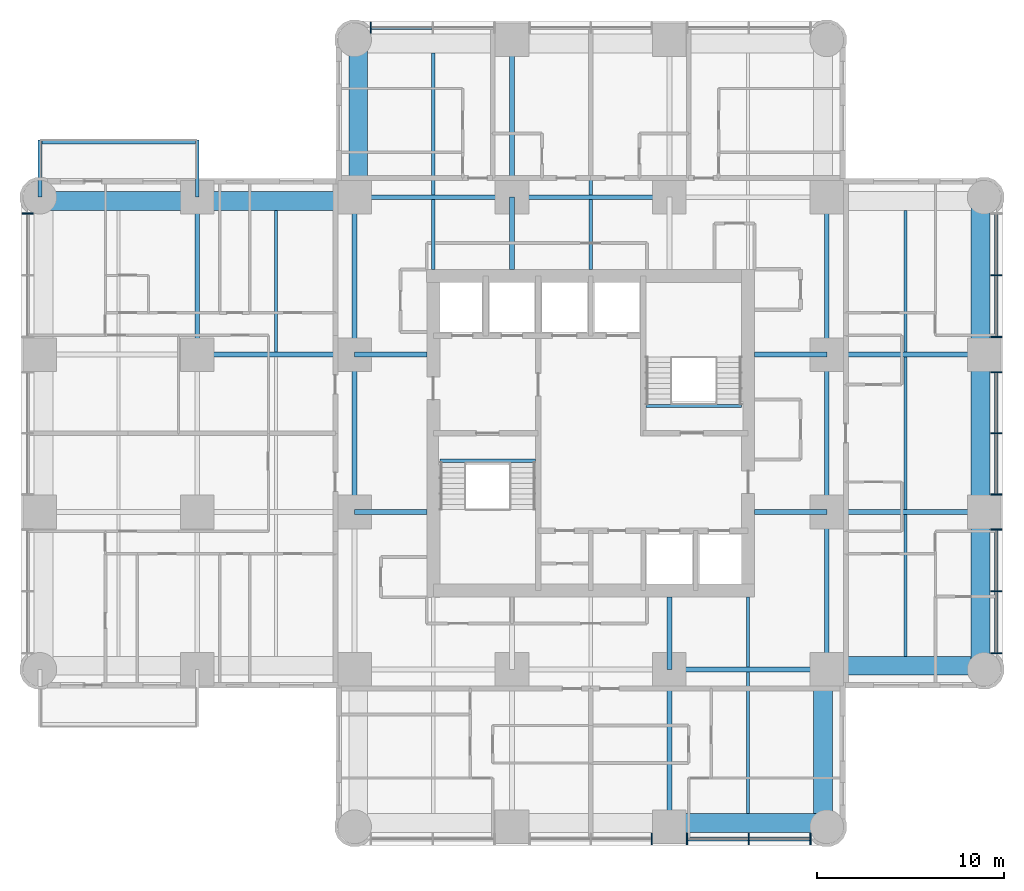
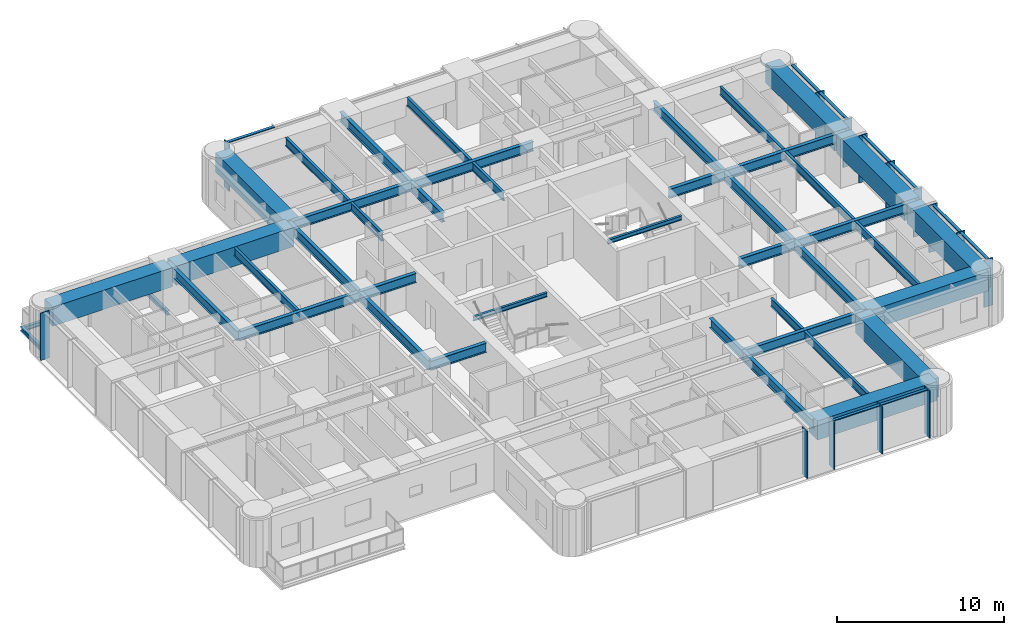
# One storey, part 2 of 11: 44 beams, 23 members, 4 elements without a shape of their own.
"""IFC4 building model written with IfcOpenShell, lengths in metres."""

from ifc_helpers import new_model, si_unit, direction, frame, origin, origin_2d, place, context, subcontext, project, spatial, rectangle, i_section, extrude, material, material_profile, profile_set, type_object, element, aggregate, save


model = new_model("IFC4")

# Units and contexts
model_context = context("Model", 3, precision=1e-05, world=origin(), true_north=direction((0.0, 1.0)))
body_context = subcontext(model_context, "Body", "Model", "MODEL_VIEW")
ifc_project = project(units=[si_unit("LENGTHUNIT", "METRE"), si_unit("AREAUNIT", "SQUARE_METRE"), si_unit("VOLUMEUNIT", "CUBIC_METRE"), si_unit("PLANEANGLEUNIT", "RADIAN"), si_unit("MASSUNIT", "GRAM", prefix="KILO")], contexts=[model_context])

# Site, building, storey
site_placement = place(None, origin())
site = spatial("IfcSite", under=ifc_project, at=site_placement, CompositionType="ELEMENT")
building_placement = place(site_placement, origin())
building = spatial("IfcBuilding", under=site, at=building_placement, Name="Torre Alcanfor", CompositionType="ELEMENT")
storey_placement = place(building_placement, frame((0.0, 0.0, 186.89990234375)))
storey = spatial("IfcBuildingStorey", under=building, at=storey_placement, Name="L48", CompositionType="ELEMENT", Elevation=186.89990234375)

# Beams
ifc_material_1 = material(Name="Steel ASTM A992 Grade 50", Category="steel")
ifc_material_profile_1 = material_profile(ifc_material_1, i_section(OverallWidth=0.205322265625, OverallDepth=0.309814453125, WebThickness=0.00927734375, FlangeThickness=0.016357421875, at=origin_2d()), Name="W12x50")
ifc_profile_set_1 = profile_set([ifc_material_profile_1], Name="Steel ASTM A992 Grade 50")
beam_type_1 = type_object("IfcBeamType", Name="Balcony cantilever beam W12x50", PredefinedType="BEAM", material=ifc_profile_set_1)
for number, where, z_axis, x_axis, name in (
    (1, (8.39990234375, 42.0, -0.354736328125), (0.0, 1.0, 0.0), (-1.0, 0.0, 0.0), "Balcony cantilever beam L48-W2 1"),
    (2, (0.0, 42.0, -0.354736328125), (0.0, 1.0, 0.0), (-1.0, 0.0, 0.0), "Balcony cantilever beam L48-W2 2"),
):
    element("IfcBeam", number, at=place(storey_placement, frame(where, z_axis=z_axis, x_axis=x_axis)), inside=storey, type_object=beam_type_1, Name=name, PredefinedType="BEAM", context=body_context, shape_type="SweptSolid", body=[
        extrude(i_section(OverallWidth=0.205322265625, OverallDepth=0.309814453125, WebThickness=0.00927734375, FlangeThickness=0.016357421875, at=origin_2d()), origin(), (0.0, 0.0, 1.0), 3.050048828125),
    ])
ifc_material_2 = material(Name="Steel ASTM A992 Grade 50", Category="steel")
ifc_material_profile_2 = material_profile(ifc_material_2, i_section(OverallWidth=0.203369140625, OverallDepth=0.30224609375, WebThickness=0.007568359375, FlangeThickness=0.01318359375, at=origin_2d()), Name="W12x40")
ifc_profile_set_2 = profile_set([ifc_material_profile_2], Name="Steel ASTM A992 Grade 50")
beam_type_2 = type_object("IfcBeamType", Name="Balcony edge trimmer W12x40", PredefinedType="BEAM", material=ifc_profile_set_2)
beam_1_placement = place(storey_placement, frame((8.39990234375, 44.9482421875, -0.35107421875), z_axis=(-1.0, 0.0, 0.0), x_axis=(0.0, -1.0, 0.0)))
element("IfcBeam", 3, at=beam_1_placement, inside=storey, type_object=beam_type_2, Name="Balcony edge trimmer L48-W2", PredefinedType="BEAM", context=body_context, shape_type="SweptSolid", body=[
    extrude(i_section(OverallWidth=0.203369140625, OverallDepth=0.30224609375, WebThickness=0.007568359375, FlangeThickness=0.01318359375, at=origin_2d()), origin(), (0.0, 0.0, 1.0), 8.39990234375),
])

# Curtain wall, member
ifc_material_3 = material(Name="Aluminium and glass", Category="aluminium")
curtain_wall_type = type_object("IfcCurtainWallType", Name="CW-A unitised apartment glazing with vertical FIN", PredefinedType="NOTDEFINED", material=ifc_material_3)
curtain_wall_1_placement = place(storey_placement, origin())
curtain_wall_1 = element("IfcCurtainWall", 4, at=curtain_wall_1_placement, inside=storey, type_object=curtain_wall_type, Name="Curtain wall CW-A L48 2", PredefinedType="NOTDEFINED")
ifc_material_4 = material(Name="Bronze anodised aluminium", Category="aluminium")
ifc_material_profile_3 = material_profile(ifc_material_4, rectangle(XDim=0.60009765625, YDim=0.06494140625, at=origin_2d()), Name="CW-A mullion 65x600")
ifc_profile_set_3 = profile_set([ifc_material_profile_3], Name="Bronze anodised aluminium")
member_type_1 = type_object("IfcMemberType", Name="CW-A mullion with vertical FIN 65x600", PredefinedType="MULLION", material=ifc_profile_set_3)
member_1_placement = place(storey_placement, frame((-0.64990234375, 41.133056640625, 0.0), z_axis=(0.0, 0.0, 1.0), x_axis=(1.0, 0.0, 0.0)))
member_1 = element("IfcMember", 5, at=member_1_placement, type_object=member_type_1, Name="CW-A mullion 1.1", PredefinedType="MULLION", context=body_context, shape_type="SweptSolid", body=[
    extrude(rectangle(XDim=0.60009765625, YDim=0.06494140625, at=origin_2d()), origin(), (0.0, 0.0, 1.0), 3.4501953125),
])
aggregate(curtain_wall_1, [member_1])

# Curtain wall, members
curtain_wall_2_placement = place(storey_placement, origin())
curtain_wall_2 = element("IfcCurtainWall", 6, at=curtain_wall_2_placement, inside=storey, type_object=curtain_wall_type, Name="Curtain wall CW-A L48 5", PredefinedType="NOTDEFINED")
member_2_placement = place(storey_placement, frame((32.66259765625, 7.75, 0.0), z_axis=(0.0, 0.0, 1.0), x_axis=(0.0, 1.0, 0.0)))
member_2 = element("IfcMember", 7, at=member_2_placement, type_object=member_type_1, Name="CW-A mullion 2.3", PredefinedType="MULLION", context=body_context, shape_type="SweptSolid", body=[
    extrude(rectangle(XDim=0.60009765625, YDim=0.06494140625, at=origin_2d()), origin(), (0.0, 0.0, 1.0), 3.4501953125),
])
member_3_placement = place(storey_placement, frame((34.53759765625, 7.75, 0.0), z_axis=(0.0, 0.0, 1.0), x_axis=(0.0, 1.0, 0.0)))
member_3 = element("IfcMember", 8, at=member_3_placement, type_object=member_type_1, Name="CW-A mullion 3.1", PredefinedType="MULLION", context=body_context, shape_type="SweptSolid", body=[
    extrude(rectangle(XDim=0.60009765625, YDim=0.06494140625, at=origin_2d()), origin(), (0.0, 0.0, 1.0), 3.4501953125),
])
member_4_placement = place(storey_placement, frame((37.835205078125, 7.75, 0.0), z_axis=(0.0, 0.0, 1.0), x_axis=(0.0, 1.0, 0.0)))
member_4 = element("IfcMember", 9, at=member_4_placement, type_object=member_type_1, Name="CW-A mullion 3.2", PredefinedType="MULLION", context=body_context, shape_type="SweptSolid", body=[
    extrude(rectangle(XDim=0.60009765625, YDim=0.06494140625, at=origin_2d()), origin(), (0.0, 0.0, 1.0), 3.4501953125),
])
member_5_placement = place(storey_placement, frame((41.133056640625, 7.75, 0.0), z_axis=(0.0, 0.0, 1.0), x_axis=(0.0, 1.0, 0.0)))
member_5 = element("IfcMember", 10, at=member_5_placement, type_object=member_type_1, Name="CW-A mullion 3.3", PredefinedType="MULLION", context=body_context, shape_type="SweptSolid", body=[
    extrude(rectangle(XDim=0.60009765625, YDim=0.06494140625, at=origin_2d()), origin(), (0.0, 0.0, 1.0), 3.4501953125),
])

curtain_wall_3_placement = place(storey_placement, origin())
curtain_wall_3 = element("IfcCurtainWall", 11, at=curtain_wall_3_placement, inside=storey, type_object=curtain_wall_type, Name="Curtain wall CW-A L48 8", PredefinedType="NOTDEFINED")
member_6_placement = place(storey_placement, frame((51.050048828125, 17.6669921875, 0.0), z_axis=(0.0, 0.0, 1.0), x_axis=(-1.0, 0.0, 0.0)))
member_6 = element("IfcMember", 12, at=member_6_placement, type_object=member_type_1, Name="CW-A mullion 1.1", PredefinedType="MULLION", context=body_context, shape_type="SweptSolid", body=[
    extrude(rectangle(XDim=0.60009765625, YDim=0.06494140625, at=origin_2d()), origin(), (0.0, 0.0, 1.0), 3.4501953125),
])
member_7_placement = place(storey_placement, frame((51.050048828125, 20.96484375, 0.0), z_axis=(0.0, 0.0, 1.0), x_axis=(-1.0, 0.0, 0.0)))
member_7 = element("IfcMember", 13, at=member_7_placement, type_object=member_type_1, Name="CW-A mullion 1.2", PredefinedType="MULLION", context=body_context, shape_type="SweptSolid", body=[
    extrude(rectangle(XDim=0.60009765625, YDim=0.06494140625, at=origin_2d()), origin(), (0.0, 0.0, 1.0), 3.4501953125),
])
member_8_placement = place(storey_placement, frame((51.050048828125, 24.262451171875, 0.0), z_axis=(0.0, 0.0, 1.0), x_axis=(-1.0, 0.0, 0.0)))
member_8 = element("IfcMember", 14, at=member_8_placement, type_object=member_type_1, Name="CW-A mullion 1.3", PredefinedType="MULLION", context=body_context, shape_type="SweptSolid", body=[
    extrude(rectangle(XDim=0.60009765625, YDim=0.06494140625, at=origin_2d()), origin(), (0.0, 0.0, 1.0), 3.4501953125),
])
member_9_placement = place(storey_placement, frame((51.050048828125, 26.137451171875, 0.0), z_axis=(0.0, 0.0, 1.0), x_axis=(-1.0, 0.0, 0.0)))
member_9 = element("IfcMember", 15, at=member_9_placement, type_object=member_type_1, Name="CW-A mullion 2.1", PredefinedType="MULLION", context=body_context, shape_type="SweptSolid", body=[
    extrude(rectangle(XDim=0.60009765625, YDim=0.06494140625, at=origin_2d()), origin(), (0.0, 0.0, 1.0), 3.4501953125),
])
member_10_placement = place(storey_placement, frame((51.050048828125, 29.39990234375, 0.0), z_axis=(0.0, 0.0, 1.0), x_axis=(-1.0, 0.0, 0.0)))
member_10 = element("IfcMember", 16, at=member_10_placement, type_object=member_type_1, Name="CW-A mullion 2.2", PredefinedType="MULLION", context=body_context, shape_type="SweptSolid", body=[
    extrude(rectangle(XDim=0.60009765625, YDim=0.06494140625, at=origin_2d()), origin(), (0.0, 0.0, 1.0), 3.4501953125),
])
member_11_placement = place(storey_placement, frame((51.050048828125, 32.66259765625, 0.0), z_axis=(0.0, 0.0, 1.0), x_axis=(-1.0, 0.0, 0.0)))
member_11 = element("IfcMember", 17, at=member_11_placement, type_object=member_type_1, Name="CW-A mullion 2.3", PredefinedType="MULLION", context=body_context, shape_type="SweptSolid", body=[
    extrude(rectangle(XDim=0.60009765625, YDim=0.06494140625, at=origin_2d()), origin(), (0.0, 0.0, 1.0), 3.4501953125),
])
member_12_placement = place(storey_placement, frame((51.050048828125, 34.53759765625, 0.0), z_axis=(0.0, 0.0, 1.0), x_axis=(-1.0, 0.0, 0.0)))
member_12 = element("IfcMember", 18, at=member_12_placement, type_object=member_type_1, Name="CW-A mullion 3.1", PredefinedType="MULLION", context=body_context, shape_type="SweptSolid", body=[
    extrude(rectangle(XDim=0.60009765625, YDim=0.06494140625, at=origin_2d()), origin(), (0.0, 0.0, 1.0), 3.4501953125),
])
member_13_placement = place(storey_placement, frame((51.050048828125, 37.835205078125, 0.0), z_axis=(0.0, 0.0, 1.0), x_axis=(-1.0, 0.0, 0.0)))
member_13 = element("IfcMember", 19, at=member_13_placement, type_object=member_type_1, Name="CW-A mullion 3.2", PredefinedType="MULLION", context=body_context, shape_type="SweptSolid", body=[
    extrude(rectangle(XDim=0.60009765625, YDim=0.06494140625, at=origin_2d()), origin(), (0.0, 0.0, 1.0), 3.4501953125),
])

# Curtain wall, member
curtain_wall_4_placement = place(storey_placement, origin())
curtain_wall_4 = element("IfcCurtainWall", 20, at=curtain_wall_4_placement, inside=storey, type_object=curtain_wall_type, Name="Curtain wall CW-A L48 11", PredefinedType="NOTDEFINED")
member_14_placement = place(storey_placement, frame((17.6669921875, 51.050048828125, 0.0), z_axis=(0.0, 0.0, 1.0), x_axis=(0.0, -1.0, 0.0)))
member_14 = element("IfcMember", 21, at=member_14_placement, type_object=member_type_1, Name="CW-A mullion 3.3", PredefinedType="MULLION", context=body_context, shape_type="SweptSolid", body=[
    extrude(rectangle(XDim=0.60009765625, YDim=0.06494140625, at=origin_2d()), origin(), (0.0, 0.0, 1.0), 3.4501953125),
])

# Member
ifc_material_5 = material(Name="Extruded aluminium", Category="aluminium")
ifc_material_profile_4 = material_profile(ifc_material_5, rectangle(XDim=0.199951171875, YDim=0.06494140625, at=origin_2d()), Name="CW-A transom 200x65")
ifc_profile_set_4 = profile_set([ifc_material_profile_4], Name="Extruded aluminium")
member_type_2 = type_object("IfcMemberType", Name="CW-A transom 65x200", PredefinedType="USERDEFINED", material=ifc_profile_set_4)
member_15_placement = place(storey_placement, frame((34.570068359375, 7.75, 3.41748046875), z_axis=(1.0, 0.0, 0.0), x_axis=(0.0, 1.0, 0.0)))
member_15 = element("IfcMember", 22, at=member_15_placement, type_object=member_type_2, Name="CW-A transom 3.1.2", ObjectType="TRANSOM", PredefinedType="USERDEFINED", context=body_context, shape_type="SweptSolid", body=[
    extrude(rectangle(XDim=0.199951171875, YDim=0.06494140625, at=origin_2d()), origin(), (0.0, 0.0, 1.0), 3.232666015625),
])

member_16_placement = place(storey_placement, frame((37.86767578125, 7.75, 3.41748046875), z_axis=(1.0, 0.0, 0.0), x_axis=(0.0, 1.0, 0.0)))
member_16 = element("IfcMember", 23, at=member_16_placement, type_object=member_type_2, Name="CW-A transom 3.2.2", ObjectType="TRANSOM", PredefinedType="USERDEFINED", context=body_context, shape_type="SweptSolid", body=[
    extrude(rectangle(XDim=0.199951171875, YDim=0.06494140625, at=origin_2d()), origin(), (0.0, 0.0, 1.0), 3.23291015625),
])

aggregate(curtain_wall_2, [member_2, member_3, member_4, member_5, member_15, member_16])

member_17_placement = place(storey_placement, frame((51.050048828125, 17.699462890625, 3.41748046875), z_axis=(0.0, 1.0, 0.0), x_axis=(-1.0, 0.0, 0.0)))
member_17 = element("IfcMember", 24, at=member_17_placement, type_object=member_type_2, Name="CW-A transom 1.1.2", ObjectType="TRANSOM", PredefinedType="USERDEFINED", context=body_context, shape_type="SweptSolid", body=[
    extrude(rectangle(XDim=0.199951171875, YDim=0.06494140625, at=origin_2d()), origin(), (0.0, 0.0, 1.0), 3.232666015625),
])

member_18_placement = place(storey_placement, frame((51.050048828125, 20.997314453125, 3.41748046875), z_axis=(0.0, 1.0, 0.0), x_axis=(-1.0, 0.0, 0.0)))
member_18 = element("IfcMember", 25, at=member_18_placement, type_object=member_type_2, Name="CW-A transom 1.2.2", ObjectType="TRANSOM", PredefinedType="USERDEFINED", context=body_context, shape_type="SweptSolid", body=[
    extrude(rectangle(XDim=0.199951171875, YDim=0.06494140625, at=origin_2d()), origin(), (0.0, 0.0, 1.0), 3.232666015625),
])

member_19_placement = place(storey_placement, frame((51.050048828125, 26.169921875, 3.41748046875), z_axis=(0.0, 1.0, 0.0), x_axis=(-1.0, 0.0, 0.0)))
member_19 = element("IfcMember", 26, at=member_19_placement, type_object=member_type_2, Name="CW-A transom 2.1.2", ObjectType="TRANSOM", PredefinedType="USERDEFINED", context=body_context, shape_type="SweptSolid", body=[
    extrude(rectangle(XDim=0.199951171875, YDim=0.06494140625, at=origin_2d()), origin(), (0.0, 0.0, 1.0), 3.197509765625),
])

member_20_placement = place(storey_placement, frame((51.050048828125, 29.4326171875, 3.41748046875), z_axis=(0.0, 1.0, 0.0), x_axis=(-1.0, 0.0, 0.0)))
member_20 = element("IfcMember", 27, at=member_20_placement, type_object=member_type_2, Name="CW-A transom 2.2.2", ObjectType="TRANSOM", PredefinedType="USERDEFINED", context=body_context, shape_type="SweptSolid", body=[
    extrude(rectangle(XDim=0.199951171875, YDim=0.06494140625, at=origin_2d()), origin(), (0.0, 0.0, 1.0), 3.197265625),
])

member_21_placement = place(storey_placement, frame((51.050048828125, 34.570068359375, 3.41748046875), z_axis=(0.0, 1.0, 0.0), x_axis=(-1.0, 0.0, 0.0)))
member_21 = element("IfcMember", 28, at=member_21_placement, type_object=member_type_2, Name="CW-A transom 3.1.2", ObjectType="TRANSOM", PredefinedType="USERDEFINED", context=body_context, shape_type="SweptSolid", body=[
    extrude(rectangle(XDim=0.199951171875, YDim=0.06494140625, at=origin_2d()), origin(), (0.0, 0.0, 1.0), 3.232666015625),
])

member_22_placement = place(storey_placement, frame((51.050048828125, 37.86767578125, 3.41748046875), z_axis=(0.0, 1.0, 0.0), x_axis=(-1.0, 0.0, 0.0)))
member_22 = element("IfcMember", 29, at=member_22_placement, type_object=member_type_2, Name="CW-A transom 3.2.2", ObjectType="TRANSOM", PredefinedType="USERDEFINED", context=body_context, shape_type="SweptSolid", body=[
    extrude(rectangle(XDim=0.199951171875, YDim=0.06494140625, at=origin_2d()), origin(), (0.0, 0.0, 1.0), 3.23291015625),
])

aggregate(curtain_wall_3, [member_6, member_7, member_8, member_17, member_18, member_9, member_10, member_11, member_19, member_20, member_12, member_13, member_21, member_22])

member_23_placement = place(storey_placement, frame((20.93212890625, 51.050048828125, 3.41748046875), z_axis=(-1.0, 0.0, 0.0), x_axis=(0.0, -1.0, 0.0)))
member_23 = element("IfcMember", 30, at=member_23_placement, type_object=member_type_2, Name="CW-A transom 3.2.2", ObjectType="TRANSOM", PredefinedType="USERDEFINED", context=body_context, shape_type="SweptSolid", body=[
    extrude(rectangle(XDim=0.199951171875, YDim=0.06494140625, at=origin_2d()), origin(), (0.0, 0.0, 1.0), 3.232666015625),
])

aggregate(curtain_wall_4, [member_14, member_23])

# Beams
ifc_material_6 = material(Name="Steel ASTM A992 Grade 50", Category="steel")
ifc_material_profile_5 = material_profile(ifc_material_6, i_section(OverallWidth=0.25390625, OverallDepth=0.683349609375, WebThickness=0.012451171875, FlangeThickness=0.01904296875, at=origin_2d()), Name="W27x94")
ifc_profile_set_5 = profile_set([ifc_material_profile_5], Name="Steel ASTM A992 Grade 50")
beam_type_3 = type_object("IfcBeamType", Name="Girder W27x94", PredefinedType="BEAM", material=ifc_profile_set_5)
for number, where, z_axis, x_axis, name in (
    (31, (33.60009765625, 16.800048828125, 3.1083984375), (1.0, 0.0, 0.0), (0.0, 1.0, 0.0), "Beam 5E-6E under L49"),
    (32, (42.0, 25.199951171875, 3.1083984375), (1.0, 0.0, 0.0), (0.0, 1.0, 0.0), "Beam 6F-7F under L49"),
):
    element("IfcBeam", number, at=place(storey_placement, frame(where, z_axis=z_axis, x_axis=x_axis)), inside=storey, type_object=beam_type_3, Name=name, PredefinedType="BEAM", context=body_context, shape_type="SweptSolid", body=[
        extrude(i_section(OverallWidth=0.25390625, OverallDepth=0.683349609375, WebThickness=0.012451171875, FlangeThickness=0.01904296875, at=origin_2d()), origin(), (0.0, 0.0, 1.0), 8.39990234375),
    ])
beam_2_placement = place(storey_placement, frame((8.39990234375, 33.60009765625, 3.1083984375), z_axis=(1.0, 0.0, 0.0), x_axis=(0.0, 1.0, 0.0)))
element("IfcBeam", 33, at=beam_2_placement, inside=storey, type_object=beam_type_3, Name="Beam 2G-3G under L49", PredefinedType="BEAM", context=body_context, shape_type="SweptSolid", body=[
    extrude(i_section(OverallWidth=0.25390625, OverallDepth=0.683349609375, WebThickness=0.012451171875, FlangeThickness=0.01904296875, at=origin_2d()), origin(), (0.0, 0.0, 1.0), 8.400146484375),
])
for number, where, z_axis, x_axis, name in (
    (34, (42.0, 33.60009765625, 3.1083984375), (1.0, 0.0, 0.0), (0.0, 1.0, 0.0), "Beam 6G-7G under L49"),
    (35, (16.800048828125, 42.0, 3.1083984375), (1.0, 0.0, 0.0), (0.0, 1.0, 0.0), "Beam 3H-4H under L49"),
):
    element("IfcBeam", number, at=place(storey_placement, frame(where, z_axis=z_axis, x_axis=x_axis)), inside=storey, type_object=beam_type_3, Name=name, PredefinedType="BEAM", context=body_context, shape_type="SweptSolid", body=[
        extrude(i_section(OverallWidth=0.25390625, OverallDepth=0.683349609375, WebThickness=0.012451171875, FlangeThickness=0.01904296875, at=origin_2d()), origin(), (0.0, 0.0, 1.0), 8.39990234375),
    ])
beam_3_placement = place(storey_placement, frame((25.199951171875, 42.0, 3.1083984375), z_axis=(1.0, 0.0, 0.0), x_axis=(0.0, 1.0, 0.0)))
element("IfcBeam", 36, at=beam_3_placement, inside=storey, type_object=beam_type_3, Name="Beam 4H-5H under L49", PredefinedType="BEAM", context=body_context, shape_type="SweptSolid", body=[
    extrude(i_section(OverallWidth=0.25390625, OverallDepth=0.683349609375, WebThickness=0.012451171875, FlangeThickness=0.01904296875, at=origin_2d()), origin(), (0.0, 0.0, 1.0), 8.400146484375),
])
beam_4_placement = place(storey_placement, frame((8.39990234375, 33.60009765625, 3.1083984375), z_axis=(0.0, 1.0, 0.0), x_axis=(-1.0, 0.0, 0.0)))
element("IfcBeam", 37, at=beam_4_placement, inside=storey, type_object=beam_type_3, Name="Beam 2G-2H under L49", PredefinedType="BEAM", context=body_context, shape_type="SweptSolid", body=[
    extrude(i_section(OverallWidth=0.25390625, OverallDepth=0.683349609375, WebThickness=0.012451171875, FlangeThickness=0.01904296875, at=origin_2d()), origin(), (0.0, 0.0, 1.0), 8.39990234375),
])
beam_5_placement = place(storey_placement, frame((16.800048828125, 25.199951171875, 3.1083984375), z_axis=(0.0, 1.0, 0.0), x_axis=(-1.0, 0.0, 0.0)))
element("IfcBeam", 38, at=beam_5_placement, inside=storey, type_object=beam_type_3, Name="Beam 3F-3G under L49", PredefinedType="BEAM", context=body_context, shape_type="SweptSolid", body=[
    extrude(i_section(OverallWidth=0.25390625, OverallDepth=0.683349609375, WebThickness=0.012451171875, FlangeThickness=0.01904296875, at=origin_2d()), origin(), (0.0, 0.0, 1.0), 8.400146484375),
])
for number, where, z_axis, x_axis, name in (
    (39, (16.800048828125, 33.60009765625, 3.1083984375), (0.0, 1.0, 0.0), (-1.0, 0.0, 0.0), "Beam 3G-3H under L49"),
    (40, (25.199951171875, 42.0, 3.1083984375), (0.0, 1.0, 0.0), (-1.0, 0.0, 0.0), "Beam 4H-4J under L49"),
):
    element("IfcBeam", number, at=place(storey_placement, frame(where, z_axis=z_axis, x_axis=x_axis)), inside=storey, type_object=beam_type_3, Name=name, PredefinedType="BEAM", context=body_context, shape_type="SweptSolid", body=[
        extrude(i_section(OverallWidth=0.25390625, OverallDepth=0.683349609375, WebThickness=0.012451171875, FlangeThickness=0.01904296875, at=origin_2d()), origin(), (0.0, 0.0, 1.0), 8.39990234375),
    ])
beam_6_placement = place(storey_placement, frame((33.60009765625, 8.39990234375, 3.1083984375), z_axis=(0.0, 1.0, 0.0), x_axis=(-1.0, 0.0, 0.0)))
element("IfcBeam", 41, at=beam_6_placement, inside=storey, type_object=beam_type_3, Name="Beam 5D-5E under L49", PredefinedType="BEAM", context=body_context, shape_type="SweptSolid", body=[
    extrude(i_section(OverallWidth=0.25390625, OverallDepth=0.683349609375, WebThickness=0.012451171875, FlangeThickness=0.01904296875, at=origin_2d()), origin(), (0.0, 0.0, 1.0), 8.400146484375),
])
beam_7_placement = place(storey_placement, frame((42.0, 16.800048828125, 3.1083984375), z_axis=(0.0, 1.0, 0.0), x_axis=(-1.0, 0.0, 0.0)))
element("IfcBeam", 42, at=beam_7_placement, inside=storey, type_object=beam_type_3, Name="Beam 6E-6F under L49", PredefinedType="BEAM", context=body_context, shape_type="SweptSolid", body=[
    extrude(i_section(OverallWidth=0.25390625, OverallDepth=0.683349609375, WebThickness=0.012451171875, FlangeThickness=0.01904296875, at=origin_2d()), origin(), (0.0, 0.0, 1.0), 8.39990234375),
])
beam_8_placement = place(storey_placement, frame((42.0, 25.199951171875, 3.1083984375), z_axis=(0.0, 1.0, 0.0), x_axis=(-1.0, 0.0, 0.0)))
element("IfcBeam", 43, at=beam_8_placement, inside=storey, type_object=beam_type_3, Name="Beam 6F-6G under L49", PredefinedType="BEAM", context=body_context, shape_type="SweptSolid", body=[
    extrude(i_section(OverallWidth=0.25390625, OverallDepth=0.683349609375, WebThickness=0.012451171875, FlangeThickness=0.01904296875, at=origin_2d()), origin(), (0.0, 0.0, 1.0), 8.400146484375),
])
beam_9_placement = place(storey_placement, frame((42.0, 33.60009765625, 3.1083984375), z_axis=(0.0, 1.0, 0.0), x_axis=(-1.0, 0.0, 0.0)))
element("IfcBeam", 44, at=beam_9_placement, inside=storey, type_object=beam_type_3, Name="Beam 6G-6H under L49", PredefinedType="BEAM", context=body_context, shape_type="SweptSolid", body=[
    extrude(i_section(OverallWidth=0.25390625, OverallDepth=0.683349609375, WebThickness=0.012451171875, FlangeThickness=0.01904296875, at=origin_2d()), origin(), (0.0, 0.0, 1.0), 8.39990234375),
])
ifc_material_7 = material(Name="Steel ASTM A992 Grade 50", Category="steel")
ifc_material_profile_6 = material_profile(ifc_material_7, i_section(OverallWidth=0.25390625, OverallDepth=0.683349609375, WebThickness=0.012451171875, FlangeThickness=0.01904296875, at=origin_2d()), Name="W27x94")
ifc_profile_set_6 = profile_set([ifc_material_profile_6], Name="Steel ASTM A992 Grade 50")
beam_type_4 = type_object("IfcBeamType", Name="Girder, part bay W27x94", PredefinedType="BEAM", material=ifc_profile_set_6)
beam_10_placement = place(storey_placement, frame((25.199951171875, 42.0, 3.1083984375), z_axis=(0.0, -1.0, 0.0), x_axis=(1.0, 0.0, 0.0)))
element("IfcBeam", 45, at=beam_10_placement, inside=storey, type_object=beam_type_4, Name="Beam 4H-438_15 under L49", PredefinedType="BEAM", context=body_context, shape_type="SweptSolid", body=[
    extrude(i_section(OverallWidth=0.25390625, OverallDepth=0.683349609375, WebThickness=0.012451171875, FlangeThickness=0.01904296875, at=origin_2d()), origin(), (0.0, 0.0, 1.0), 3.85009765625),
])
for number, where, z_axis, x_axis, name in (
    (46, (33.60009765625, 16.800048828125, 3.1083984375), (0.0, 1.0, 0.0), (-1.0, 0.0, 0.0), "Beam 5E-520_65 under L49"),
    (47, (16.800048828125, 25.199951171875, 3.1083984375), (1.0, 0.0, 0.0), (0.0, 1.0, 0.0), "Beam 3F-20_65F under L49"),
):
    element("IfcBeam", number, at=place(storey_placement, frame(where, z_axis=z_axis, x_axis=x_axis)), inside=storey, type_object=beam_type_4, Name=name, PredefinedType="BEAM", context=body_context, shape_type="SweptSolid", body=[
        extrude(i_section(OverallWidth=0.25390625, OverallDepth=0.683349609375, WebThickness=0.012451171875, FlangeThickness=0.01904296875, at=origin_2d()), origin(), (0.0, 0.0, 1.0), 3.849853515625),
    ])
beam_11_placement = place(storey_placement, frame((42.0, 25.199951171875, 3.1083984375), z_axis=(-1.0, 0.0, 0.0), x_axis=(0.0, -1.0, 0.0)))
element("IfcBeam", 48, at=beam_11_placement, inside=storey, type_object=beam_type_4, Name="Beam 6F-38_15F under L49", PredefinedType="BEAM", context=body_context, shape_type="SweptSolid", body=[
    extrude(i_section(OverallWidth=0.25390625, OverallDepth=0.683349609375, WebThickness=0.012451171875, FlangeThickness=0.01904296875, at=origin_2d()), origin(), (0.0, 0.0, 1.0), 3.85009765625),
])
beam_12_placement = place(storey_placement, frame((16.800048828125, 33.60009765625, 3.1083984375), z_axis=(1.0, 0.0, 0.0), x_axis=(0.0, 1.0, 0.0)))
element("IfcBeam", 49, at=beam_12_placement, inside=storey, type_object=beam_type_4, Name="Beam 3G-20_65G under L49", PredefinedType="BEAM", context=body_context, shape_type="SweptSolid", body=[
    extrude(i_section(OverallWidth=0.25390625, OverallDepth=0.683349609375, WebThickness=0.012451171875, FlangeThickness=0.01904296875, at=origin_2d()), origin(), (0.0, 0.0, 1.0), 3.849853515625),
])
beam_13_placement = place(storey_placement, frame((42.0, 33.60009765625, 3.1083984375), z_axis=(-1.0, 0.0, 0.0), x_axis=(0.0, -1.0, 0.0)))
element("IfcBeam", 50, at=beam_13_placement, inside=storey, type_object=beam_type_4, Name="Beam 6G-38_15G under L49", PredefinedType="BEAM", context=body_context, shape_type="SweptSolid", body=[
    extrude(i_section(OverallWidth=0.25390625, OverallDepth=0.683349609375, WebThickness=0.012451171875, FlangeThickness=0.01904296875, at=origin_2d()), origin(), (0.0, 0.0, 1.0), 3.85009765625),
])
ifc_material_8 = material(Name="Concrete f'c 70 MPa", Category="concrete")
ifc_material_profile_7 = material_profile(ifc_material_8, rectangle(XDim=1.0, YDim=1.39990234375, at=origin_2d()), Name="1000x1400")
ifc_profile_set_7 = profile_set([ifc_material_profile_7], Name="Concrete f'c 70 MPa")
beam_type_5 = type_object("IfcBeamType", Name="RC perimeter beam 1000x1400", PredefinedType="BEAM", material=ifc_profile_set_7)
for number, where, z_axis, x_axis, name in (
    (51, (33.72705078125, 8.60009765625, 2.75), (1.0, 0.0, 0.0), (0.0, 1.0, 0.0), "Beam 5D-6D under L49"),
    (52, (42.126953125, 17.0, 2.75), (1.0, 0.0, 0.0), (0.0, 1.0, 0.0), "Beam 6E-7E under L49"),
    (53, (0.0, 41.800048828125, 2.75), (1.0, 0.0, 0.0), (0.0, 1.0, 0.0), "Beam 1H-2H under L49"),
):
    element("IfcBeam", number, at=place(storey_placement, frame(where, z_axis=z_axis, x_axis=x_axis)), inside=storey, type_object=beam_type_5, Name=name, PredefinedType="BEAM", context=body_context, shape_type="SweptSolid", body=[
        extrude(rectangle(XDim=1.0, YDim=1.39990234375, at=origin_2d()), origin(), (0.0, 0.0, 1.0), 8.27294921875),
    ])
beam_14_placement = place(storey_placement, frame((8.527099609375, 41.800048828125, 2.75), z_axis=(1.0, 0.0, 0.0), x_axis=(0.0, 1.0, 0.0)))
element("IfcBeam", 54, at=beam_14_placement, inside=storey, type_object=beam_type_5, Name="Beam 2H-3H under L49", PredefinedType="BEAM", context=body_context, shape_type="SweptSolid", body=[
    extrude(rectangle(XDim=1.0, YDim=1.39990234375, at=origin_2d()), origin(), (0.0, 0.0, 1.0), 8.14599609375),
])
beam_15_placement = place(storey_placement, frame((17.0, 42.126953125, 2.75), z_axis=(0.0, 1.0, 0.0), x_axis=(-1.0, 0.0, 0.0)))
element("IfcBeam", 55, at=beam_15_placement, inside=storey, type_object=beam_type_5, Name="Beam 3H-3J under L49", PredefinedType="BEAM", context=body_context, shape_type="SweptSolid", body=[
    extrude(rectangle(XDim=1.0, YDim=1.39990234375, at=origin_2d()), origin(), (0.0, 0.0, 1.0), 8.27294921875),
])
beam_16_placement = place(storey_placement, frame((41.800048828125, 8.39990234375, 2.75), z_axis=(0.0, 1.0, 0.0), x_axis=(-1.0, 0.0, 0.0)))
element("IfcBeam", 56, at=beam_16_placement, inside=storey, type_object=beam_type_5, Name="Beam 6D-6E under L49", PredefinedType="BEAM", context=body_context, shape_type="SweptSolid", body=[
    extrude(rectangle(XDim=1.0, YDim=1.39990234375, at=origin_2d()), origin(), (0.0, 0.0, 1.0), 8.273193359375),
])
beam_17_placement = place(storey_placement, frame((50.199951171875, 16.800048828125, 2.75), z_axis=(0.0, 1.0, 0.0), x_axis=(-1.0, 0.0, 0.0)))
element("IfcBeam", 57, at=beam_17_placement, inside=storey, type_object=beam_type_5, Name="Beam 7E-7F under L49", PredefinedType="BEAM", context=body_context, shape_type="SweptSolid", body=[
    extrude(rectangle(XDim=1.0, YDim=1.39990234375, at=origin_2d()), origin(), (0.0, 0.0, 1.0), 8.27294921875),
])
beam_18_placement = place(storey_placement, frame((50.199951171875, 25.326904296875, 2.75), z_axis=(0.0, 1.0, 0.0), x_axis=(-1.0, 0.0, 0.0)))
element("IfcBeam", 58, at=beam_18_placement, inside=storey, type_object=beam_type_5, Name="Beam 7F-7G under L49", PredefinedType="BEAM", context=body_context, shape_type="SweptSolid", body=[
    extrude(rectangle(XDim=1.0, YDim=1.39990234375, at=origin_2d()), origin(), (0.0, 0.0, 1.0), 8.14599609375),
])
beam_19_placement = place(storey_placement, frame((50.199951171875, 33.72705078125, 2.75), z_axis=(0.0, 1.0, 0.0), x_axis=(-1.0, 0.0, 0.0)))
element("IfcBeam", 59, at=beam_19_placement, inside=storey, type_object=beam_type_5, Name="Beam 7G-7H under L49", PredefinedType="BEAM", context=body_context, shape_type="SweptSolid", body=[
    extrude(rectangle(XDim=1.0, YDim=1.39990234375, at=origin_2d()), origin(), (0.0, 0.0, 1.0), 8.27294921875),
])
ifc_material_9 = material(Name="Steel ASTM A992 Grade 50", Category="steel")
ifc_material_profile_8 = material_profile(ifc_material_9, i_section(OverallWidth=0.1787109375, OverallDepth=0.60205078125, WebThickness=0.010986328125, FlangeThickness=0.014892578125, at=origin_2d()), Name="W24x62")
ifc_profile_set_8 = profile_set([ifc_material_profile_8], Name="Steel ASTM A992 Grade 50")
beam_type_6 = type_object("IfcBeamType", Name="Secondary beam W24x62", PredefinedType="BEAM", material=ifc_profile_set_8)
for number, where, z_axis, x_axis, name in (
    (60, (12.60009765625, 33.72705078125, 3.149169921875), (0.0, 1.0, 0.0), (-1.0, 0.0, 0.0), "Beam 12_6G-12_6H under L49"),
    (61, (21.0, 42.126953125, 3.149169921875), (0.0, 1.0, 0.0), (-1.0, 0.0, 0.0), "Beam 21H-21J under L49"),
    (62, (29.39990234375, 42.126953125, 3.149169921875), (0.0, 1.0, 0.0), (-1.0, 0.0, 0.0), "Beam 29_4H-29_4J under L49"),
    (63, (37.800048828125, 9.10009765625, 3.149169921875), (0.0, 1.0, 0.0), (-1.0, 0.0, 0.0), "Beam 37_8D-37_8E under L49"),
    (64, (46.199951171875, 17.5, 3.149169921875), (0.0, 1.0, 0.0), (-1.0, 0.0, 0.0), "Beam 46_2E-46_2F under L49"),
):
    element("IfcBeam", number, at=place(storey_placement, frame(where, z_axis=z_axis, x_axis=x_axis)), inside=storey, type_object=beam_type_6, Name=name, PredefinedType="BEAM", context=body_context, shape_type="SweptSolid", body=[
        extrude(i_section(OverallWidth=0.1787109375, OverallDepth=0.60205078125, WebThickness=0.010986328125, FlangeThickness=0.014892578125, at=origin_2d()), origin(), (0.0, 0.0, 1.0), 7.572998046875),
    ])
beam_20_placement = place(storey_placement, frame((46.199951171875, 25.326904296875, 3.149169921875), z_axis=(0.0, 1.0, 0.0), x_axis=(-1.0, 0.0, 0.0)))
element("IfcBeam", 65, at=beam_20_placement, inside=storey, type_object=beam_type_6, Name="Beam 46_2F-46_2G under L49", PredefinedType="BEAM", context=body_context, shape_type="SweptSolid", body=[
    extrude(i_section(OverallWidth=0.1787109375, OverallDepth=0.60205078125, WebThickness=0.010986328125, FlangeThickness=0.014892578125, at=origin_2d()), origin(), (0.0, 0.0, 1.0), 8.14599609375),
])
beam_21_placement = place(storey_placement, frame((46.199951171875, 33.72705078125, 3.149169921875), z_axis=(0.0, 1.0, 0.0), x_axis=(-1.0, 0.0, 0.0)))
element("IfcBeam", 66, at=beam_21_placement, inside=storey, type_object=beam_type_6, Name="Beam 46_2G-46_2H under L49", PredefinedType="BEAM", context=body_context, shape_type="SweptSolid", body=[
    extrude(i_section(OverallWidth=0.1787109375, OverallDepth=0.60205078125, WebThickness=0.010986328125, FlangeThickness=0.014892578125, at=origin_2d()), origin(), (0.0, 0.0, 1.0), 7.572998046875),
])
ifc_material_10 = material(Name="Steel ASTM A992 Grade 50", Category="steel")
ifc_material_profile_9 = material_profile(ifc_material_10, i_section(OverallWidth=0.1787109375, OverallDepth=0.60205078125, WebThickness=0.010986328125, FlangeThickness=0.014892578125, at=origin_2d()), Name="W24x62")
ifc_profile_set_9 = profile_set([ifc_material_profile_9], Name="Steel ASTM A992 Grade 50")
beam_type_7 = type_object("IfcBeamType", Name="Secondary beam, part bay W24x62", PredefinedType="BEAM", material=ifc_profile_set_9)
for number, where, z_axis, x_axis, name in (
    (67, (21.0, 38.14990234375, 3.149169921875), (0.0, 1.0, 0.0), (-1.0, 0.0, 0.0), "Beam 2138_15-21H under L49"),
    (68, (29.39990234375, 38.14990234375, 3.149169921875), (0.0, 1.0, 0.0), (-1.0, 0.0, 0.0), "Beam 29_438_15-29_4H under L49"),
):
    element("IfcBeam", number, at=place(storey_placement, frame(where, z_axis=z_axis, x_axis=x_axis)), inside=storey, type_object=beam_type_7, Name=name, PredefinedType="BEAM", context=body_context, shape_type="SweptSolid", body=[
        extrude(i_section(OverallWidth=0.1787109375, OverallDepth=0.60205078125, WebThickness=0.010986328125, FlangeThickness=0.014892578125, at=origin_2d()), origin(), (0.0, 0.0, 1.0), 3.72314453125),
    ])
beam_22_placement = place(storey_placement, frame((37.800048828125, 16.927001953125, 3.149169921875), z_axis=(0.0, 1.0, 0.0), x_axis=(-1.0, 0.0, 0.0)))
element("IfcBeam", 69, at=beam_22_placement, inside=storey, type_object=beam_type_7, Name="Beam 37_8E-37_820_65 under L49", PredefinedType="BEAM", context=body_context, shape_type="SweptSolid", body=[
    extrude(i_section(OverallWidth=0.1787109375, OverallDepth=0.60205078125, WebThickness=0.010986328125, FlangeThickness=0.014892578125, at=origin_2d()), origin(), (0.0, 0.0, 1.0), 3.722900390625),
])
ifc_material_11 = material(Name="Steel ASTM A992 Grade 50", Category="steel")
ifc_material_profile_10 = material_profile(ifc_material_11, i_section(OverallWidth=0.164794921875, OverallDepth=0.309814453125, WebThickness=0.005859375, FlangeThickness=0.009765625, at=origin_2d()), Name="W12x26")
ifc_profile_set_10 = profile_set([ifc_material_profile_10], Name="Steel ASTM A992 Grade 50")
beam_type_8 = type_object("IfcBeamType", Name="Stair landing beam W12x26", PredefinedType="BEAM", material=ifc_profile_set_10)
for number, where, z_axis, x_axis, name in (
    (70, (21.35009765625, 27.9375, 3.2451171875), (1.0, 0.0, 0.0), (0.0, 1.0, 0.0), "Landing trimmer S1 L49"),
    (71, (32.35009765625, 30.862548828125, 3.2451171875), (1.0, 0.0, 0.0), (0.0, 1.0, 0.0), "Landing trimmer S2 L49"),
):
    element("IfcBeam", number, at=place(storey_placement, frame(where, z_axis=z_axis, x_axis=x_axis)), inside=storey, type_object=beam_type_8, Name=name, PredefinedType="BEAM", context=body_context, shape_type="SweptSolid", body=[
        extrude(i_section(OverallWidth=0.164794921875, OverallDepth=0.309814453125, WebThickness=0.005859375, FlangeThickness=0.009765625, at=origin_2d()), origin(), (0.0, 0.0, 1.0), 5.099853515625),
    ])

save(model, "model.ifc")
